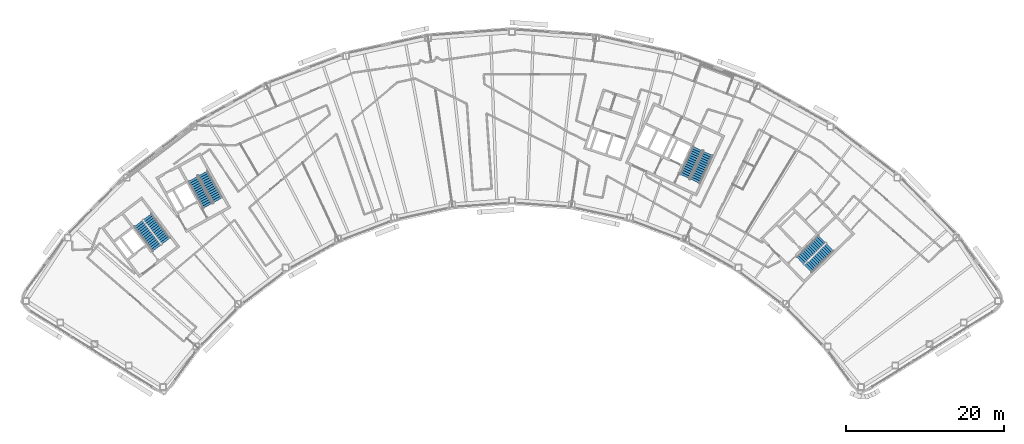
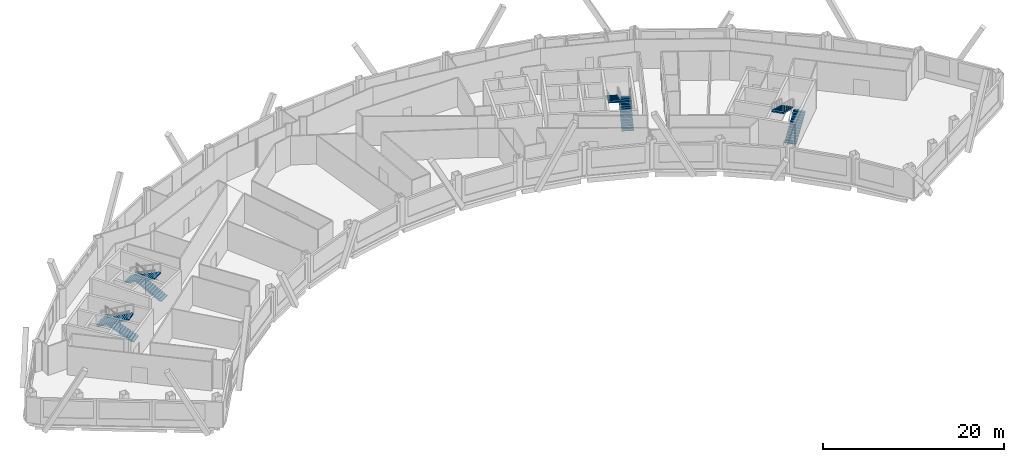
# One storey, part 12 of 14: 8 stair flights, 4 elements without a shape of their own.
"""IFC4 building model written with IfcOpenShell, lengths in metres."""

from ifc_helpers import new_model, si_unit, direction, frame, origin, place, context, subcontext, project, spatial, polyline, outline, extrude, material, type_object, element, aggregate, save


model = new_model("IFC4")

# Units and contexts
model_context = context("Model", 3, precision=1e-05, world=origin(), true_north=direction((0.0, 1.0)))
body_context = subcontext(model_context, "Body", "Model", "MODEL_VIEW")
ifc_project = project(units=[si_unit("LENGTHUNIT", "METRE"), si_unit("AREAUNIT", "SQUARE_METRE"), si_unit("VOLUMEUNIT", "CUBIC_METRE"), si_unit("PLANEANGLEUNIT", "RADIAN"), si_unit("MASSUNIT", "GRAM", prefix="KILO")], contexts=[model_context])

# Site, building, storey
site_placement = place(None, origin())
site = spatial("IfcSite", under=ifc_project, at=site_placement, CompositionType="ELEMENT")
building_placement = place(site_placement, origin())
building = spatial("IfcBuilding", under=site, at=building_placement, Name="Tuul Gate Civic Tower", CompositionType="ELEMENT")
storey_placement = place(building_placement, frame((0.0, 0.0, 265.199951171875)))
storey = spatial("IfcBuildingStorey", under=building, at=storey_placement, Name="Level 60", CompositionType="ELEMENT", Elevation=265.199951171875)

# Stair, stair flights
ifc_material_1 = material(Name="Concrete C40/50", Category="concrete")
stair_type = type_object("IfcStairType", Name="Exit stair", PredefinedType="HALF_TURN_STAIR", material=ifc_material_1)
stair_1_placement = place(storey_placement, origin())
stair_1 = element("IfcStair", 1, at=stair_1_placement, inside=storey, type_object=stair_type, Name="Level 60 ST-1", PredefinedType="HALF_TURN_STAIR")
ifc_material_2 = material(Name="Concrete C40/50", Category="concrete")
stair_flight_type = type_object("IfcStairFlightType", Name="Exit stair flight", PredefinedType="STRAIGHT", material=ifc_material_2)
stair_flight_1_placement = place(storey_placement, frame((-32.875244140625, -13.066650390625, 0.0), z_axis=(0.0, 0.0, 1.0), x_axis=(-0.605764474941, 0.795644016442, 0.0)))
stair_flight_1 = element("IfcStairFlight", 2, at=stair_flight_1_placement, type_object=stair_flight_type, Name="ST-1 flight 1", NumberOfRisers=14, NumberOfTreads=13, PredefinedType="STRAIGHT", RiserHeight=0.15, TreadLength=0.3, context=body_context, shape_type="SweptSolid", body=[
    extrude(outline(polyline([(0.0, 0.0), (0.0, 0.14990234375), (0.300048828125, 0.14990234375), (0.300048828125, 0.300048828125), (0.60009765625, 0.300048828125), (0.60009765625, 0.449951171875), (0.89990234375, 0.449951171875), (0.89990234375, 0.60009765625), (1.199951171875, 0.60009765625), (1.199951171875, 0.75), (1.5, 0.75), (1.5, 0.89990234375), (1.800048828125, 0.89990234375), (1.800048828125, 1.050048828125), (2.10009765625, 1.050048828125), (2.10009765625, 1.199951171875), (2.39990234375, 1.199951171875), (2.39990234375, 1.35009765625), (2.699951171875, 1.35009765625), (2.699951171875, 1.5), (3.0, 1.5), (3.0, 1.64990234375), (3.300048828125, 1.64990234375), (3.300048828125, 1.800048828125), (3.60009765625, 1.800048828125), (3.60009765625, 1.949951171875), (3.89990234375, 1.949951171875), (3.89990234375, 2.10009765625), (3.89990234375, 1.782470703125), (0.335205078125, 0.0), (0.0, 0.0)])), frame((0.0, 0.675048828125, 0.0), z_axis=(0.0, -1.0, 0.0), x_axis=(1.0, 0.0, 0.0)), (0.0, 0.0, 1.0), 1.35009765625),
])
stair_flight_2_placement = place(storey_placement, frame((-36.391357421875, -10.842041015625, 2.10009765625), z_axis=(0.0, 0.0, 1.0), x_axis=(0.605764474941, -0.795644016442, 0.0)))
stair_flight_2 = element("IfcStairFlight", 3, at=stair_flight_2_placement, type_object=stair_flight_type, Name="ST-1 flight 2", NumberOfRisers=14, NumberOfTreads=13, PredefinedType="STRAIGHT", RiserHeight=0.15, TreadLength=0.3, context=body_context, shape_type="SweptSolid", body=[
    extrude(outline(polyline([(0.0, 0.0), (0.0, 0.14990234375), (0.300048828125, 0.14990234375), (0.300048828125, 0.300048828125), (0.60009765625, 0.300048828125), (0.60009765625, 0.449951171875), (0.89990234375, 0.449951171875), (0.89990234375, 0.60009765625), (1.199951171875, 0.60009765625), (1.199951171875, 0.75), (1.5, 0.75), (1.5, 0.89990234375), (1.800048828125, 0.89990234375), (1.800048828125, 1.050048828125), (2.10009765625, 1.050048828125), (2.10009765625, 1.199951171875), (2.39990234375, 1.199951171875), (2.39990234375, 1.35009765625), (2.699951171875, 1.35009765625), (2.699951171875, 1.5), (3.0, 1.5), (3.0, 1.64990234375), (3.300048828125, 1.64990234375), (3.300048828125, 1.800048828125), (3.60009765625, 1.800048828125), (3.60009765625, 1.949951171875), (3.89990234375, 1.949951171875), (3.89990234375, 2.10009765625), (3.89990234375, 1.782470703125), (0.335205078125, 0.0), (0.0, 0.0)])), frame((0.0, 0.675048828125, 0.0), z_axis=(0.0, -1.0, 0.0), x_axis=(1.0, 0.0, 0.0)), (0.0, 0.0, 1.0), 1.35009765625),
])
aggregate(stair_1, [stair_flight_1, stair_flight_2])

stair_2_placement = place(storey_placement, origin())
stair_2 = element("IfcStair", 4, at=stair_2_placement, inside=storey, type_object=stair_type, Name="Level 60 ST-2", PredefinedType="HALF_TURN_STAIR")
stair_flight_3_placement = place(storey_placement, frame((-26.29150390625, -7.87646484375, 0.0), z_axis=(0.0, 0.0, 1.0), x_axis=(-0.484761763766, 0.874646232708, 0.0)))
stair_flight_3 = element("IfcStairFlight", 5, at=stair_flight_3_placement, type_object=stair_flight_type, Name="ST-2 flight 1", NumberOfRisers=14, NumberOfTreads=13, PredefinedType="STRAIGHT", RiserHeight=0.15, TreadLength=0.3, context=body_context, shape_type="SweptSolid", body=[
    extrude(outline(polyline([(0.0, 0.0), (0.0, 0.14990234375), (0.300048828125, 0.14990234375), (0.300048828125, 0.300048828125), (0.60009765625, 0.300048828125), (0.60009765625, 0.449951171875), (0.89990234375, 0.449951171875), (0.89990234375, 0.60009765625), (1.199951171875, 0.60009765625), (1.199951171875, 0.75), (1.5, 0.75), (1.5, 0.89990234375), (1.800048828125, 0.89990234375), (1.800048828125, 1.050048828125), (2.10009765625, 1.050048828125), (2.10009765625, 1.199951171875), (2.39990234375, 1.199951171875), (2.39990234375, 1.35009765625), (2.699951171875, 1.35009765625), (2.699951171875, 1.5), (3.0, 1.5), (3.0, 1.64990234375), (3.300048828125, 1.64990234375), (3.300048828125, 1.800048828125), (3.60009765625, 1.800048828125), (3.60009765625, 1.949951171875), (3.89990234375, 1.949951171875), (3.89990234375, 2.10009765625), (3.89990234375, 1.782470703125), (0.335205078125, 0.0), (0.0, 0.0)])), frame((0.0, 0.675048828125, 0.0), z_axis=(0.0, -1.0, 0.0), x_axis=(1.0, 0.0, 0.0)), (0.0, 0.0, 1.0), 1.35009765625),
])
stair_flight_4_placement = place(storey_placement, frame((-29.450439453125, -5.168212890625, 2.10009765625), z_axis=(0.0, 0.0, 1.0), x_axis=(0.484761763766, -0.874646232708, 0.0)))
stair_flight_4 = element("IfcStairFlight", 6, at=stair_flight_4_placement, type_object=stair_flight_type, Name="ST-2 flight 2", NumberOfRisers=14, NumberOfTreads=13, PredefinedType="STRAIGHT", RiserHeight=0.15, TreadLength=0.3, context=body_context, shape_type="SweptSolid", body=[
    extrude(outline(polyline([(0.0, 0.0), (0.0, 0.14990234375), (0.300048828125, 0.14990234375), (0.300048828125, 0.300048828125), (0.60009765625, 0.300048828125), (0.60009765625, 0.449951171875), (0.89990234375, 0.449951171875), (0.89990234375, 0.60009765625), (1.199951171875, 0.60009765625), (1.199951171875, 0.75), (1.5, 0.75), (1.5, 0.89990234375), (1.800048828125, 0.89990234375), (1.800048828125, 1.050048828125), (2.10009765625, 1.050048828125), (2.10009765625, 1.199951171875), (2.39990234375, 1.199951171875), (2.39990234375, 1.35009765625), (2.699951171875, 1.35009765625), (2.699951171875, 1.5), (3.0, 1.5), (3.0, 1.64990234375), (3.300048828125, 1.64990234375), (3.300048828125, 1.800048828125), (3.60009765625, 1.800048828125), (3.60009765625, 1.949951171875), (3.89990234375, 1.949951171875), (3.89990234375, 2.10009765625), (3.89990234375, 1.782470703125), (0.335205078125, 0.0), (0.0, 0.0)])), frame((0.0, 0.675048828125, 0.0), z_axis=(0.0, -1.0, 0.0), x_axis=(1.0, 0.0, 0.0)), (0.0, 0.0, 1.0), 1.35009765625),
])
aggregate(stair_2, [stair_flight_3, stair_flight_4])

stair_3_placement = place(storey_placement, origin())
stair_3 = element("IfcStair", 7, at=stair_3_placement, inside=storey, type_object=stair_type, Name="Level 60 ST-3", PredefinedType="HALF_TURN_STAIR")
stair_flight_5_placement = place(storey_placement, frame((48.61376953125, -16.581787109375, 0.0), z_axis=(0.0, 0.0, 1.0), x_axis=(0.714127290059, 0.700015866672, 0.0)))
stair_flight_5 = element("IfcStairFlight", 8, at=stair_flight_5_placement, type_object=stair_flight_type, Name="ST-3 flight 1", NumberOfRisers=14, NumberOfTreads=13, PredefinedType="STRAIGHT", RiserHeight=0.15, TreadLength=0.3, context=body_context, shape_type="SweptSolid", body=[
    extrude(outline(polyline([(0.0, 0.0), (0.0, 0.14990234375), (0.300048828125, 0.14990234375), (0.300048828125, 0.300048828125), (0.60009765625, 0.300048828125), (0.60009765625, 0.449951171875), (0.89990234375, 0.449951171875), (0.89990234375, 0.60009765625), (1.199951171875, 0.60009765625), (1.199951171875, 0.75), (1.5, 0.75), (1.5, 0.89990234375), (1.800048828125, 0.89990234375), (1.800048828125, 1.050048828125), (2.10009765625, 1.050048828125), (2.10009765625, 1.199951171875), (2.39990234375, 1.199951171875), (2.39990234375, 1.35009765625), (2.699951171875, 1.35009765625), (2.699951171875, 1.5), (3.0, 1.5), (3.0, 1.64990234375), (3.300048828125, 1.64990234375), (3.300048828125, 1.800048828125), (3.60009765625, 1.800048828125), (3.60009765625, 1.949951171875), (3.89990234375, 1.949951171875), (3.89990234375, 2.10009765625), (3.89990234375, 1.782470703125), (0.335205078125, 0.0), (0.0, 0.0)])), frame((0.0, 0.675048828125, 0.0), z_axis=(0.0, -1.0, 0.0), x_axis=(1.0, 0.0, 0.0)), (0.0, 0.0, 1.0), 1.35009765625),
])
stair_flight_6_placement = place(storey_placement, frame((50.3837890625, -12.816162109375, 2.10009765625), z_axis=(0.0, 0.0, 1.0), x_axis=(-0.714127290059, -0.700015866672, 0.0)))
stair_flight_6 = element("IfcStairFlight", 9, at=stair_flight_6_placement, type_object=stair_flight_type, Name="ST-3 flight 2", NumberOfRisers=14, NumberOfTreads=13, PredefinedType="STRAIGHT", RiserHeight=0.15, TreadLength=0.3, context=body_context, shape_type="SweptSolid", body=[
    extrude(outline(polyline([(0.0, 0.0), (0.0, 0.14990234375), (0.300048828125, 0.14990234375), (0.300048828125, 0.300048828125), (0.60009765625, 0.300048828125), (0.60009765625, 0.449951171875), (0.89990234375, 0.449951171875), (0.89990234375, 0.60009765625), (1.199951171875, 0.60009765625), (1.199951171875, 0.75), (1.5, 0.75), (1.5, 0.89990234375), (1.800048828125, 0.89990234375), (1.800048828125, 1.050048828125), (2.10009765625, 1.050048828125), (2.10009765625, 1.199951171875), (2.39990234375, 1.199951171875), (2.39990234375, 1.35009765625), (2.699951171875, 1.35009765625), (2.699951171875, 1.5), (3.0, 1.5), (3.0, 1.64990234375), (3.300048828125, 1.64990234375), (3.300048828125, 1.800048828125), (3.60009765625, 1.800048828125), (3.60009765625, 1.949951171875), (3.89990234375, 1.949951171875), (3.89990234375, 2.10009765625), (3.89990234375, 1.782470703125), (0.335205078125, 0.0), (0.0, 0.0)])), frame((0.0, 0.675048828125, 0.0), z_axis=(0.0, -1.0, 0.0), x_axis=(1.0, 0.0, 0.0)), (0.0, 0.0, 1.0), 1.35009765625),
])
aggregate(stair_3, [stair_flight_5, stair_flight_6])

stair_4_placement = place(storey_placement, origin())
stair_4 = element("IfcStair", 10, at=stair_4_placement, inside=storey, type_object=stair_type, Name="Level 60 ST-4", PredefinedType="HALF_TURN_STAIR")
stair_flight_7_placement = place(storey_placement, frame((34.278564453125, -5.478515625, 0.0), z_axis=(0.0, 0.0, 1.0), x_axis=(0.422576295988, 0.906327354806, 0.0)))
stair_flight_7 = element("IfcStairFlight", 11, at=stair_flight_7_placement, type_object=stair_flight_type, Name="ST-4 flight 1", NumberOfRisers=14, NumberOfTreads=13, PredefinedType="STRAIGHT", RiserHeight=0.15, TreadLength=0.3, context=body_context, shape_type="SweptSolid", body=[
    extrude(outline(polyline([(0.0, 0.0), (0.0, 0.14990234375), (0.300048828125, 0.14990234375), (0.300048828125, 0.300048828125), (0.60009765625, 0.300048828125), (0.60009765625, 0.449951171875), (0.89990234375, 0.449951171875), (0.89990234375, 0.60009765625), (1.199951171875, 0.60009765625), (1.199951171875, 0.75), (1.5, 0.75), (1.5, 0.89990234375), (1.800048828125, 0.89990234375), (1.800048828125, 1.050048828125), (2.10009765625, 1.050048828125), (2.10009765625, 1.199951171875), (2.39990234375, 1.199951171875), (2.39990234375, 1.35009765625), (2.699951171875, 1.35009765625), (2.699951171875, 1.5), (3.0, 1.5), (3.0, 1.64990234375), (3.300048828125, 1.64990234375), (3.300048828125, 1.800048828125), (3.60009765625, 1.800048828125), (3.60009765625, 1.949951171875), (3.89990234375, 1.949951171875), (3.89990234375, 2.10009765625), (3.89990234375, 1.782470703125), (0.335205078125, 0.0), (0.0, 0.0)])), frame((0.0, 0.675048828125, 0.0), z_axis=(0.0, -1.0, 0.0), x_axis=(1.0, 0.0, 0.0)), (0.0, 0.0, 1.0), 1.35009765625),
])
stair_flight_8_placement = place(storey_placement, frame((34.612548828125, -1.3310546875, 2.10009765625), z_axis=(0.0, 0.0, 1.0), x_axis=(-0.422576295988, -0.906327354806, 0.0)))
stair_flight_8 = element("IfcStairFlight", 12, at=stair_flight_8_placement, type_object=stair_flight_type, Name="ST-4 flight 2", NumberOfRisers=14, NumberOfTreads=13, PredefinedType="STRAIGHT", RiserHeight=0.15, TreadLength=0.3, context=body_context, shape_type="SweptSolid", body=[
    extrude(outline(polyline([(0.0, 0.0), (0.0, 0.14990234375), (0.300048828125, 0.14990234375), (0.300048828125, 0.300048828125), (0.60009765625, 0.300048828125), (0.60009765625, 0.449951171875), (0.89990234375, 0.449951171875), (0.89990234375, 0.60009765625), (1.199951171875, 0.60009765625), (1.199951171875, 0.75), (1.5, 0.75), (1.5, 0.89990234375), (1.800048828125, 0.89990234375), (1.800048828125, 1.050048828125), (2.10009765625, 1.050048828125), (2.10009765625, 1.199951171875), (2.39990234375, 1.199951171875), (2.39990234375, 1.35009765625), (2.699951171875, 1.35009765625), (2.699951171875, 1.5), (3.0, 1.5), (3.0, 1.64990234375), (3.300048828125, 1.64990234375), (3.300048828125, 1.800048828125), (3.60009765625, 1.800048828125), (3.60009765625, 1.949951171875), (3.89990234375, 1.949951171875), (3.89990234375, 2.10009765625), (3.89990234375, 1.782470703125), (0.335205078125, 0.0), (0.0, 0.0)])), frame((0.0, 0.675048828125, 0.0), z_axis=(0.0, -1.0, 0.0), x_axis=(1.0, 0.0, 0.0)), (0.0, 0.0, 1.0), 1.35009765625),
])
aggregate(stair_4, [stair_flight_7, stair_flight_8])

save(model, "model.ifc")
